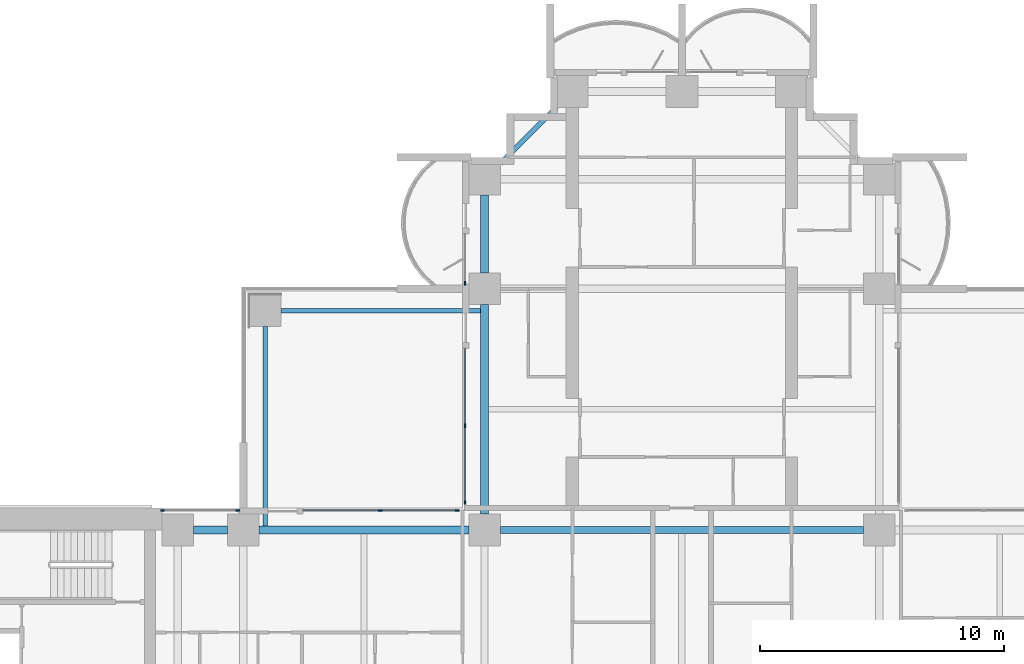
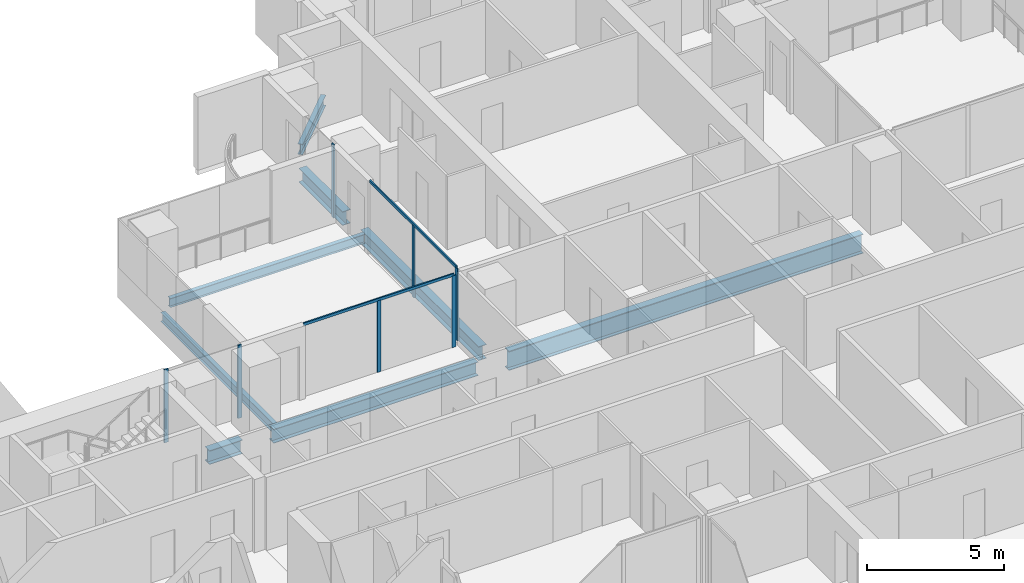
# One storey, part 6 of 23: 9 members, 8 beams, 4 elements without a shape of their own.
"""IFC4 building model written with IfcOpenShell, lengths in metres."""

from ifc_helpers import new_model, si_unit, direction, frame, origin, origin_2d, place, context, subcontext, project, spatial, rectangle, i_section, extrude, material, material_profile, profile_set, type_object, element, aggregate, save


model = new_model("IFC4")

# Units and contexts
model_context = context("Model", 3, precision=1e-05, world=origin(), true_north=direction((0.0, 1.0)))
body_context = subcontext(model_context, "Body", "Model", "MODEL_VIEW")
ifc_project = project(units=[si_unit("LENGTHUNIT", "METRE"), si_unit("AREAUNIT", "SQUARE_METRE"), si_unit("VOLUMEUNIT", "CUBIC_METRE"), si_unit("PLANEANGLEUNIT", "RADIAN"), si_unit("MASSUNIT", "GRAM", prefix="KILO")], contexts=[model_context])

# Site, building, storey
site_placement = place(None, origin())
site = spatial("IfcSite", under=ifc_project, at=site_placement, CompositionType="ELEMENT")
building_placement = place(site_placement, origin())
building = spatial("IfcBuilding", under=site, at=building_placement, Name="Perihelion Cross Residences", CompositionType="ELEMENT")
storey_placement = place(building_placement, frame((0.0, 0.0, 61.0)))
storey = spatial("IfcBuildingStorey", under=building, at=storey_placement, Name="L12", CompositionType="ELEMENT", Elevation=61.0)

# Curtain wall, member
ifc_material_1 = material(Name="Bronze anodised aluminium, tinted glazing", Category="aluminium")
curtain_wall_type = type_object("IfcCurtainWallType", Name="CW1", PredefinedType="NOTDEFINED", material=ifc_material_1)
curtain_wall_1_placement = place(storey_placement, origin())
curtain_wall_1 = element("IfcCurtainWall", 1, at=curtain_wall_1_placement, inside=storey, type_object=curtain_wall_type, Name="Curtain wall CW1 L12 north side west bay 1", PredefinedType="NOTDEFINED")
ifc_material_2 = material(Name="Bronze anodised aluminium", Category="aluminium")
ifc_material_profile_1 = material_profile(ifc_material_2, rectangle(XDim=0.06005859375, YDim=0.159912109375, at=origin_2d()), Name="CW1 mullion")
ifc_profile_set_1 = profile_set([ifc_material_profile_1], Name="Bronze anodised aluminium")
member_type_1 = type_object("IfcMemberType", Name="CW1 mullion", PredefinedType="MULLION", material=ifc_profile_set_1)
member_1_placement = place(storey_placement, frame((-8.89990234375, 18.22998046875, 0.0), z_axis=(0.0, 0.0, 1.0), x_axis=(1.0, 0.0, 0.0)))
member_1 = element("IfcMember", 2, at=member_1_placement, type_object=member_type_1, Name="CW1 mullion 2", PredefinedType="MULLION", context=body_context, shape_type="SweptSolid", body=[
    extrude(rectangle(XDim=0.06005859375, YDim=0.159912109375, at=origin_2d()), origin(), (0.0, 0.0, 1.0), 3.25),
])
aggregate(curtain_wall_1, [member_1])

# Curtain wall, members
curtain_wall_2_placement = place(storey_placement, origin())
curtain_wall_2 = element("IfcCurtainWall", 3, at=curtain_wall_2_placement, inside=storey, type_object=curtain_wall_type, Name="Curtain wall CW1 L12 north side west bay 2", PredefinedType="NOTDEFINED")
member_2_placement = place(storey_placement, frame((-8.89990234375, 12.375, 0.0), z_axis=(0.0, 0.0, 1.0), x_axis=(1.0, 0.0, 0.0)))
member_2 = element("IfcMember", 4, at=member_2_placement, type_object=member_type_1, Name="CW1 mullion 2", PredefinedType="MULLION", context=body_context, shape_type="SweptSolid", body=[
    extrude(rectangle(XDim=0.06005859375, YDim=0.159912109375, at=origin_2d()), origin(), (0.0, 0.0, 1.0), 3.18994140625),
])
member_3_placement = place(storey_placement, frame((-8.89990234375, 9.22998046875, 0.0), z_axis=(0.0, 0.0, 1.0), x_axis=(1.0, 0.0, 0.0)))
member_3 = element("IfcMember", 5, at=member_3_placement, type_object=member_type_1, Name="CW1 mullion 3", PredefinedType="MULLION", context=body_context, shape_type="SweptSolid", body=[
    extrude(rectangle(XDim=0.06005859375, YDim=0.159912109375, at=origin_2d()), origin(), (0.0, 0.0, 1.0), 3.18994140625),
])

curtain_wall_3_placement = place(storey_placement, origin())
curtain_wall_3 = element("IfcCurtainWall", 6, at=curtain_wall_3_placement, inside=storey, type_object=curtain_wall_type, Name="Curtain wall CW1 L12 west side north bay 1", PredefinedType="NOTDEFINED")
member_4_placement = place(storey_placement, frame((-9.22998046875, 8.89990234375, 0.0), z_axis=(0.0, 0.0, 1.0), x_axis=(0.0, -1.0, 0.0)))
member_4 = element("IfcMember", 7, at=member_4_placement, type_object=member_type_1, Name="CW1 mullion 1", PredefinedType="MULLION", context=body_context, shape_type="SweptSolid", body=[
    extrude(rectangle(XDim=0.06005859375, YDim=0.159912109375, at=origin_2d()), origin(), (0.0, 0.0, 1.0), 3.18994140625),
])
member_5_placement = place(storey_placement, frame((-12.375, 8.89990234375, 0.0), z_axis=(0.0, 0.0, 1.0), x_axis=(0.0, -1.0, 0.0)))
member_5 = element("IfcMember", 8, at=member_5_placement, type_object=member_type_1, Name="CW1 mullion 2", PredefinedType="MULLION", context=body_context, shape_type="SweptSolid", body=[
    extrude(rectangle(XDim=0.06005859375, YDim=0.159912109375, at=origin_2d()), origin(), (0.0, 0.0, 1.0), 3.18994140625),
])

curtain_wall_4_placement = place(storey_placement, origin())
curtain_wall_4 = element("IfcCurtainWall", 9, at=curtain_wall_4_placement, inside=storey, type_object=curtain_wall_type, Name="Curtain wall CW1 L12 west side north bay 2", PredefinedType="NOTDEFINED")
member_6_placement = place(storey_placement, frame((-18.22998046875, 8.89990234375, 0.0), z_axis=(0.0, 0.0, 1.0), x_axis=(0.0, -1.0, 0.0)))
member_6 = element("IfcMember", 10, at=member_6_placement, type_object=member_type_1, Name="CW1 mullion 1", PredefinedType="MULLION", context=body_context, shape_type="SweptSolid", body=[
    extrude(rectangle(XDim=0.06005859375, YDim=0.159912109375, at=origin_2d()), origin(), (0.0, 0.0, 1.0), 3.25),
])
member_7_placement = place(storey_placement, frame((-21.320068359375, 8.89990234375, 0.0), z_axis=(0.0, 0.0, 1.0), x_axis=(0.0, -1.0, 0.0)))
member_7 = element("IfcMember", 11, at=member_7_placement, type_object=member_type_1, Name="CW1 mullion 2", PredefinedType="MULLION", context=body_context, shape_type="SweptSolid", body=[
    extrude(rectangle(XDim=0.06005859375, YDim=0.159912109375, at=origin_2d()), origin(), (0.0, 0.0, 1.0), 3.25),
])
aggregate(curtain_wall_4, [member_6, member_7])

# Member
ifc_material_3 = material(Name="Bronze anodised aluminium", Category="aluminium")
ifc_material_profile_2 = material_profile(ifc_material_3, rectangle(XDim=0.06005859375, YDim=0.1201171875, at=origin_2d()), Name="CW1 transom")
ifc_profile_set_2 = profile_set([ifc_material_profile_2], Name="Bronze anodised aluminium")
member_type_2 = type_object("IfcMemberType", Name="CW1 transom", PredefinedType="USERDEFINED", material=ifc_profile_set_2)
member_8_placement = place(storey_placement, frame((-8.89990234375, 15.550048828125, 3.219970703125), z_axis=(0.0, -1.0, 0.0), x_axis=(1.0, 0.0, 0.0)))
member_8 = element("IfcMember", 12, at=member_8_placement, type_object=member_type_2, Name="CW1 head transom", ObjectType="TRANSOM", PredefinedType="USERDEFINED", context=body_context, shape_type="SweptSolid", body=[
    extrude(rectangle(XDim=0.06005859375, YDim=0.1201171875, at=origin_2d()), origin(), (0.0, 0.0, 1.0), 6.320068359375),
])

aggregate(curtain_wall_2, [member_2, member_3, member_8])

member_9_placement = place(storey_placement, frame((-9.22998046875, 8.89990234375, 3.219970703125), z_axis=(-1.0, 0.0, 0.0), x_axis=(0.0, -1.0, 0.0)))
member_9 = element("IfcMember", 13, at=member_9_placement, type_object=member_type_2, Name="CW1 head transom", ObjectType="TRANSOM", PredefinedType="USERDEFINED", context=body_context, shape_type="SweptSolid", body=[
    extrude(rectangle(XDim=0.06005859375, YDim=0.1201171875, at=origin_2d()), origin(), (0.0, 0.0, 1.0), 6.320068359375),
])

aggregate(curtain_wall_3, [member_4, member_5, member_9])

# Beams
ifc_material_4 = material(Name="Steel S355", Category="steel")
ifc_material_profile_3 = material_profile(ifc_material_4, i_section(OverallWidth=0.177978515625, OverallDepth=0.406005859375, WebThickness=0.0078125, FlangeThickness=0.0126953125, at=origin_2d()), Name="W410x60")
ifc_profile_set_3 = profile_set([ifc_material_profile_3], Name="Steel S355")
beam_type_1 = type_object("IfcBeamType", Name="Core edge beam W410x60", PredefinedType="BEAM", material=ifc_profile_set_3)
for number, where, z_axis, x_axis, name in (
    (14, (-17.10009765625, 8.262451171875, -0.452880859375), (0.0, 1.0, 0.0), (-1.0, 0.0, 0.0), "Core edge beam TB2 L12 corner no. 3"),
    (15, (-8.262451171875, 17.10009765625, -0.452880859375), (-1.0, 0.0, 0.0), (0.0, -1.0, 0.0), "Core edge beam TB2 L12 corner no. 4"),
):
    element("IfcBeam", number, at=place(storey_placement, frame(where, z_axis=z_axis, x_axis=x_axis)), inside=storey, type_object=beam_type_1, Name=name, PredefinedType="BEAM", context=body_context, shape_type="SweptSolid", body=[
        extrude(i_section(OverallWidth=0.177978515625, OverallDepth=0.406005859375, WebThickness=0.0078125, FlangeThickness=0.0126953125, at=origin_2d()), origin(), (0.0, 0.0, 1.0), 8.1875),
    ])
ifc_material_5 = material(Name="Steel S355", Category="steel")
ifc_material_profile_4 = material_profile(ifc_material_5, i_section(OverallWidth=0.324951171875, OverallDepth=0.616943359375, WebThickness=0.013916015625, FlangeThickness=0.021484375, at=origin_2d()), Name="W610x174")
ifc_profile_set_4 = profile_set([ifc_material_profile_4], Name="Steel S355")
beam_type_2 = type_object("IfcBeamType", Name="Edge beam W610x174", PredefinedType="SPANDREL", material=ifc_profile_set_4)
beam_1_placement = place(storey_placement, frame((-8.10009765625, 21.85009765625, -0.55859375), z_axis=(0.0, -1.0, 0.0), x_axis=(1.0, 0.0, 0.0)))
element("IfcBeam", 16, at=beam_1_placement, inside=storey, type_object=beam_type_2, Name="Edge beam SB2 L12 no. 8", PredefinedType="SPANDREL", context=body_context, shape_type="SweptSolid", body=[
    extrude(i_section(OverallWidth=0.324951171875, OverallDepth=0.616943359375, WebThickness=0.013916015625, FlangeThickness=0.021484375, at=origin_2d()), origin(), (0.0, 0.0, 1.0), 3.2001953125),
])
for number, where, z_axis, x_axis, name in (
    (17, (-8.10009765625, 17.35009765625, -0.55859375), (0.0, -1.0, 0.0), (1.0, 0.0, 0.0), "Edge beam SB2 L12 no. 7"),
    (18, (-8.75, 8.10009765625, -0.55859375), (-1.0, 0.0, 0.0), (0.0, -1.0, 0.0), "Edge beam SB2 L12 no. 9"),
):
    element("IfcBeam", number, at=place(storey_placement, frame(where, z_axis=z_axis, x_axis=x_axis)), inside=storey, type_object=beam_type_2, Name=name, PredefinedType="SPANDREL", context=body_context, shape_type="SweptSolid", body=[
        extrude(i_section(OverallWidth=0.324951171875, OverallDepth=0.616943359375, WebThickness=0.013916015625, FlangeThickness=0.021484375, at=origin_2d()), origin(), (0.0, 0.0, 1.0), 8.60009765625),
    ])
beam_2_placement = place(storey_placement, frame((-18.64990234375, 8.10009765625, -0.55859375), z_axis=(-1.0, 0.0, 0.0), x_axis=(0.0, -1.0, 0.0)))
element("IfcBeam", 19, at=beam_2_placement, inside=storey, type_object=beam_type_2, Name="Edge beam SB2 L12 no. 2", PredefinedType="SPANDREL", context=body_context, shape_type="SweptSolid", body=[
    extrude(i_section(OverallWidth=0.324951171875, OverallDepth=0.616943359375, WebThickness=0.013916015625, FlangeThickness=0.021484375, at=origin_2d()), origin(), (0.0, 0.0, 1.0), 1.400146484375),
])
ifc_material_6 = material(Name="Steel S355", Category="steel")
ifc_material_profile_5 = material_profile(ifc_material_6, i_section(OverallWidth=0.2919921875, OverallDepth=0.85888671875, WebThickness=0.01708984375, FlangeThickness=0.031005859375, at=origin_2d()), Name="W840x251")
ifc_profile_set_5 = profile_set([ifc_material_profile_5], Name="Steel S355")
beam_type_3 = type_object("IfcBeamType", Name="Hub ring girder W840x251", PredefinedType="BEAM", material=ifc_profile_set_5)
beam_3_placement = place(storey_placement, frame((7.449951171875, 8.10009765625, -0.679443359375), z_axis=(-1.0, 0.0, 0.0), x_axis=(0.0, -1.0, 0.0)))
element("IfcBeam", 20, at=beam_3_placement, inside=storey, type_object=beam_type_3, Name="Hub ring girder RG2 L12 no. 4", PredefinedType="BEAM", context=body_context, shape_type="SweptSolid", body=[
    extrude(i_section(OverallWidth=0.2919921875, OverallDepth=0.85888671875, WebThickness=0.01708984375, FlangeThickness=0.031005859375, at=origin_2d()), origin(), (0.0, 0.0, 1.0), 14.89990234375),
])
ifc_material_7 = material(Name="Steel S355", Category="steel")
ifc_material_profile_6 = material_profile(ifc_material_7, i_section(OverallWidth=0.194091796875, OverallDepth=0.469970703125, WebThickness=0.0126953125, FlangeThickness=0.0205078125, at=origin_2d()), Name="W460x106")
ifc_profile_set_6 = profile_set([ifc_material_profile_6], Name="Steel S355")
beam_type_4 = type_object("IfcBeamType", Name="Serration edge beam W460x106", PredefinedType="BEAM", material=ifc_profile_set_6)
beam_4_placement = place(storey_placement, frame((-5.14990234375, 25.449951171875, -0.485107421875), z_axis=(-0.707106781187, -0.707106781187, 0.0), x_axis=(0.707106781187, -0.707106781187, 0.0)))
element("IfcBeam", 21, at=beam_4_placement, inside=storey, type_object=beam_type_4, Name="Serration edge beam EB2 L12 no. 1", PredefinedType="BEAM", context=body_context, shape_type="SweptSolid", body=[
    extrude(i_section(OverallWidth=0.194091796875, OverallDepth=0.469970703125, WebThickness=0.0126953125, FlangeThickness=0.0205078125, at=origin_2d()), origin(), (0.0, 0.0, 1.0), 3.252685546875),
])

save(model, "model.ifc")
